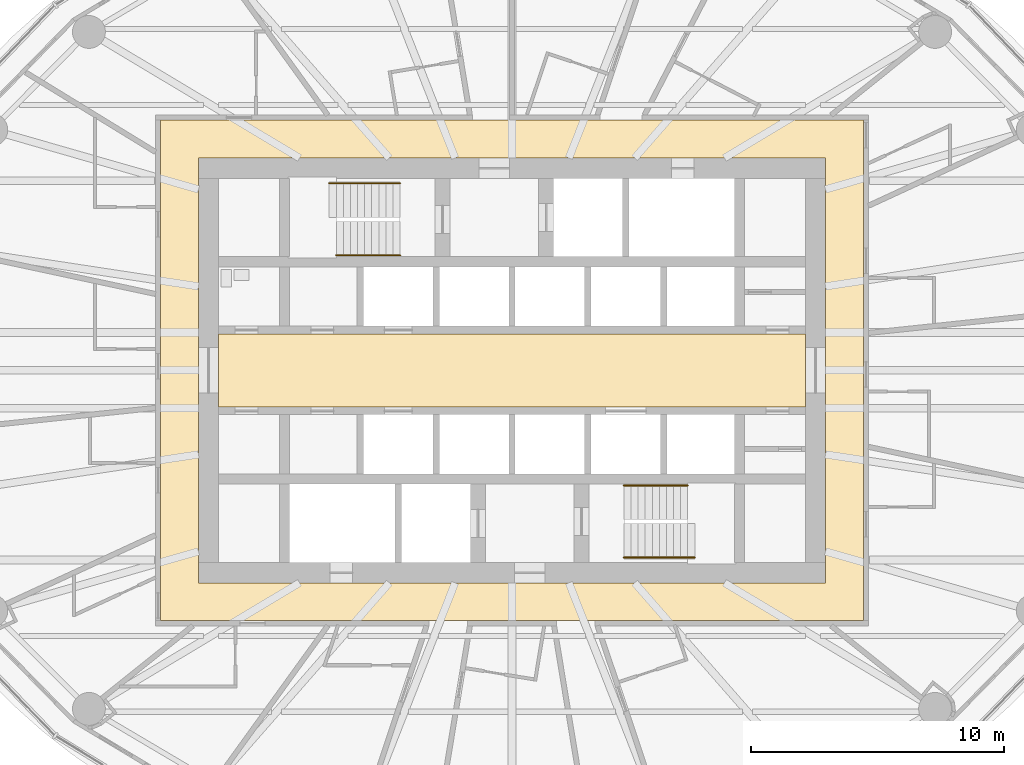
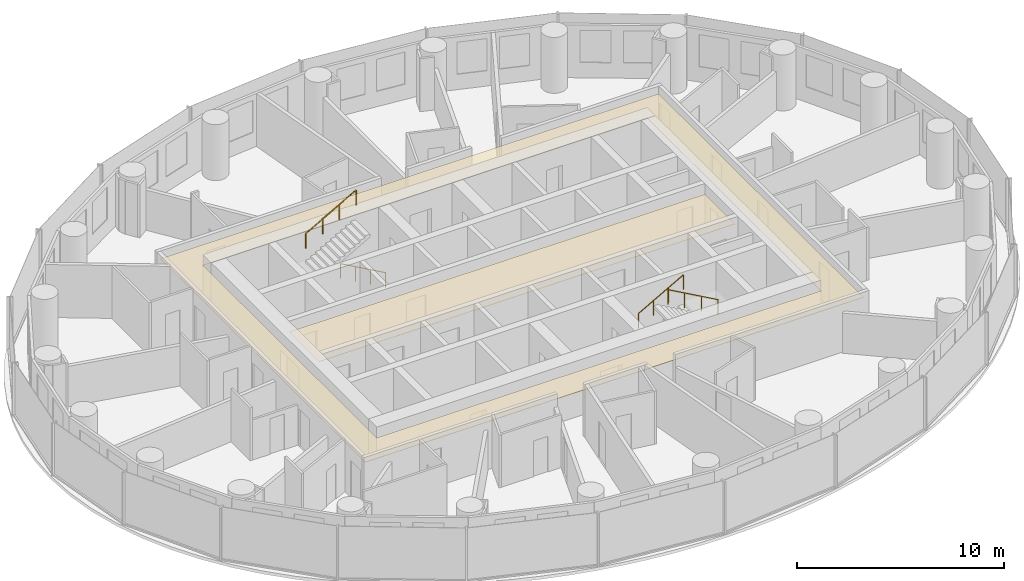
# One storey, part 13 of 14: 4 railings, 2 coverings.
"""IFC4 building model written with IfcOpenShell, lengths in metres."""

from ifc_helpers import new_model, si_unit, direction, frame, origin, origin_2d, place, context, subcontext, project, spatial, polyline, circle, outline, extrude, material, layer, layer_set, type_object, element, save


model = new_model("IFC4")

# Units and contexts
model_context = context("Model", 3, precision=1e-05, world=origin(), true_north=direction((0.0, 1.0)))
body_context = subcontext(model_context, "Body", "Model", "MODEL_VIEW")
ifc_project = project(units=[si_unit("LENGTHUNIT", "METRE"), si_unit("AREAUNIT", "SQUARE_METRE"), si_unit("VOLUMEUNIT", "CUBIC_METRE"), si_unit("PLANEANGLEUNIT", "RADIAN"), si_unit("MASSUNIT", "GRAM", prefix="KILO")], contexts=[model_context])

# Site, building, storey
site_placement = place(None, origin())
site = spatial("IfcSite", under=ifc_project, at=site_placement, CompositionType="ELEMENT")
building_placement = place(site_placement, origin())
building = spatial("IfcBuilding", under=site, at=building_placement, Name="Hankou Lantern Tower", CompositionType="ELEMENT")
storey_placement = place(building_placement, frame((0.0, 0.0, 112.199951171875)))
storey = spatial("IfcBuildingStorey", under=building, at=storey_placement, Name="L28", CompositionType="ELEMENT", Elevation=112.199951171875)

# Coverings
ifc_material_1 = material(Name="Black painted aluminium linear ceiling panels", Category="aluminium")
ifc_layer_1 = layer(ifc_material_1, 0.02490234375)
ifc_layer_set_1 = layer_set([ifc_layer_1], Name="Black painted aluminium linear ceiling panels")
covering_type_1 = type_object("IfcCoveringType", Name="CL1 CORRIDOR CEILING 25", PredefinedType="CEILING", material=ifc_layer_set_1)
covering_1_placement = place(storey_placement, frame((0.0, 0.0, 2.64501953125)))
element("IfcCovering", 1, at=covering_1_placement, inside=storey, type_object=covering_type_1, Name="Corridor ceiling L28", PredefinedType="CEILING", context=body_context, shape_type="SweptSolid", body=[
    extrude(outline(polyline([(-13.89990234375, -9.89990234375), (13.89990234375, -9.89990234375), (13.89990234375, 9.89990234375), (-13.89990234375, 9.89990234375), (-13.89990234375, -9.89990234375)]), holes=[polyline([(-12.39990234375, 8.39990234375), (12.39990234375, 8.39990234375), (12.39990234375, -8.39990234375), (-12.39990234375, -8.39990234375), (-12.39990234375, 8.39990234375)])]), origin(), (0.0, 0.0, 1.0), 0.025146484375),
])
ifc_material_2 = material(Name="Perforated black aluminium acoustic tray ceiling", Category="aluminium")
ifc_layer_2 = layer(ifc_material_2, 0.014892578125)
ifc_layer_set_2 = layer_set([ifc_layer_2], Name="Perforated black aluminium acoustic tray ceiling")
covering_type_2 = type_object("IfcCoveringType", Name="CL2 LIFT LOBBY CEILING 15", PredefinedType="CEILING", material=ifc_layer_set_2)
covering_2_placement = place(storey_placement, frame((0.0, 0.0, 2.655029296875)))
element("IfcCovering", 2, at=covering_2_placement, inside=storey, type_object=covering_type_2, Name="Lift lobby ceiling L28", PredefinedType="CEILING", context=body_context, shape_type="SweptSolid", body=[
    extrude(outline(polyline([(-11.60009765625, -1.449951171875), (11.60009765625, -1.449951171875), (11.60009765625, 1.449951171875), (-11.60009765625, 1.449951171875), (-11.60009765625, -1.449951171875)])), origin(), (0.0, 0.0, 1.0), 0.01513671875),
])

# Railings
ifc_material_3 = material(Name="Steel handrail", Category="steel")
railing_type = type_object("IfcRailingType", Name="HR1 STAIR HANDRAIL", PredefinedType="HANDRAIL", material=ifc_material_3)
railing_1_placement = place(storey_placement, frame((-4.429931640625, 4.550048828125, 0.900146484375)))
element("IfcRailing", 3, at=railing_1_placement, inside=storey, type_object=railing_type, Name="Handrail stair STA L28 flight 1", PredefinedType="HANDRAIL", context=body_context, shape_type="SweptSolid", body=[
    extrude(circle(Radius=0.02392578125, at=origin_2d()), frame((0.0, 0.0, 0.8759765625), z_axis=(-0.872048945198, 0.0, 0.489418672692), x_axis=(0.0, -1.0, 0.0)), (0.0, 0.0, 1.0), 2.8896484375),
    extrude(circle(Radius=0.02099609375, at=origin_2d()), origin(), (0.0, 0.0, 1.0), 0.851806640625),
    extrude(circle(Radius=0.02099609375, at=origin_2d()), frame((-0.840087890625, 0.0, 0.471435546875)), (0.0, 0.0, 1.0), 0.851806640625),
    extrude(circle(Radius=0.02099609375, at=origin_2d()), frame((-1.679931640625, 0.0, 0.94287109375)), (0.0, 0.0, 1.0), 0.851806640625),
    extrude(circle(Radius=0.02099609375, at=origin_2d()), frame((-2.52001953125, 0.0, 1.414306640625)), (0.0, 0.0, 1.0), 0.851806640625),
])
railing_2_placement = place(storey_placement, frame((-7.22998046875, 7.39990234375, 2.471435546875)))
element("IfcRailing", 4, at=railing_2_placement, inside=storey, type_object=railing_type, Name="Handrail stair STA L28 flight 2", PredefinedType="HANDRAIL", context=body_context, shape_type="SweptSolid", body=[
    extrude(circle(Radius=0.02392578125, at=origin_2d()), frame((0.0, 0.0, 0.8759765625), z_axis=(0.872040151574, 0.0, 0.489434340891), x_axis=(0.0, 1.0, 0.0)), (0.0, 0.0, 1.0), 3.2109375),
    extrude(circle(Radius=0.02099609375, at=origin_2d()), origin(), (0.0, 0.0, 1.0), 0.851806640625),
    extrude(circle(Radius=0.02099609375, at=origin_2d()), frame((0.933349609375, 0.0, 0.52392578125)), (0.0, 0.0, 1.0), 0.851806640625),
    extrude(circle(Radius=0.02099609375, at=origin_2d()), frame((1.86669921875, 0.0, 1.047607421875)), (0.0, 0.0, 1.0), 0.851806640625),
    extrude(circle(Radius=0.02099609375, at=origin_2d()), frame((2.800048828125, 0.0, 1.571533203125)), (0.0, 0.0, 1.0), 0.851806640625),
])
railing_3_placement = place(storey_placement, frame((4.429931640625, -4.550048828125, 0.900146484375)))
element("IfcRailing", 5, at=railing_3_placement, inside=storey, type_object=railing_type, Name="Handrail stair STB L28 flight 1", PredefinedType="HANDRAIL", context=body_context, shape_type="SweptSolid", body=[
    extrude(circle(Radius=0.02392578125, at=origin_2d()), frame((0.0, 0.0, 0.8759765625), z_axis=(0.872048945198, 0.0, 0.489418672692), x_axis=(0.0, 1.0, 0.0)), (0.0, 0.0, 1.0), 2.8896484375),
    extrude(circle(Radius=0.02099609375, at=origin_2d()), origin(), (0.0, 0.0, 1.0), 0.851806640625),
    extrude(circle(Radius=0.02099609375, at=origin_2d()), frame((0.840087890625, 0.0, 0.471435546875)), (0.0, 0.0, 1.0), 0.851806640625),
    extrude(circle(Radius=0.02099609375, at=origin_2d()), frame((1.679931640625, 0.0, 0.94287109375)), (0.0, 0.0, 1.0), 0.851806640625),
    extrude(circle(Radius=0.02099609375, at=origin_2d()), frame((2.52001953125, 0.0, 1.414306640625)), (0.0, 0.0, 1.0), 0.851806640625),
])
railing_4_placement = place(storey_placement, frame((7.22998046875, -7.39990234375, 2.471435546875)))
element("IfcRailing", 6, at=railing_4_placement, inside=storey, type_object=railing_type, Name="Handrail stair STB L28 flight 2", PredefinedType="HANDRAIL", context=body_context, shape_type="SweptSolid", body=[
    extrude(circle(Radius=0.02392578125, at=origin_2d()), frame((0.0, 0.0, 0.8759765625), z_axis=(-0.872040151574, 0.0, 0.489434340891), x_axis=(0.0, -1.0, 0.0)), (0.0, 0.0, 1.0), 3.2109375),
    extrude(circle(Radius=0.02099609375, at=origin_2d()), origin(), (0.0, 0.0, 1.0), 0.851806640625),
    extrude(circle(Radius=0.02099609375, at=origin_2d()), frame((-0.933349609375, 0.0, 0.52392578125)), (0.0, 0.0, 1.0), 0.851806640625),
    extrude(circle(Radius=0.02099609375, at=origin_2d()), frame((-1.86669921875, 0.0, 1.047607421875)), (0.0, 0.0, 1.0), 0.851806640625),
    extrude(circle(Radius=0.02099609375, at=origin_2d()), frame((-2.800048828125, 0.0, 1.571533203125)), (0.0, 0.0, 1.0), 0.851806640625),
])

save(model, "model.ifc")
